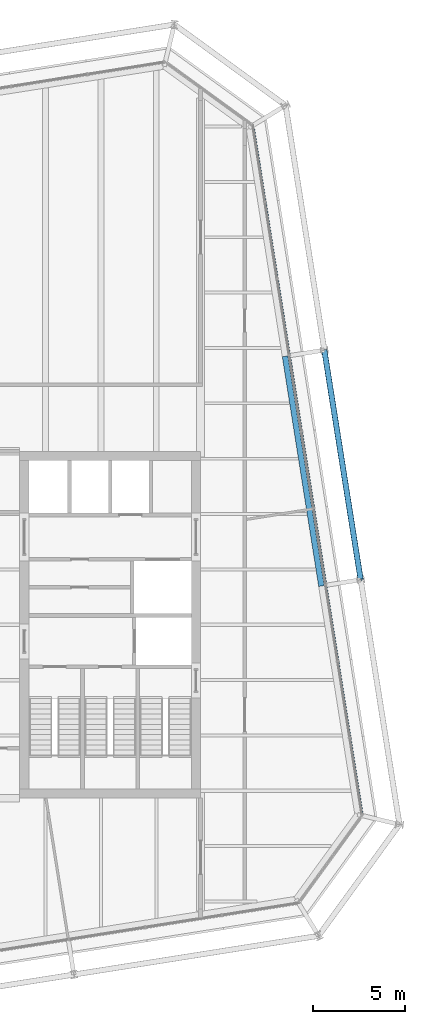
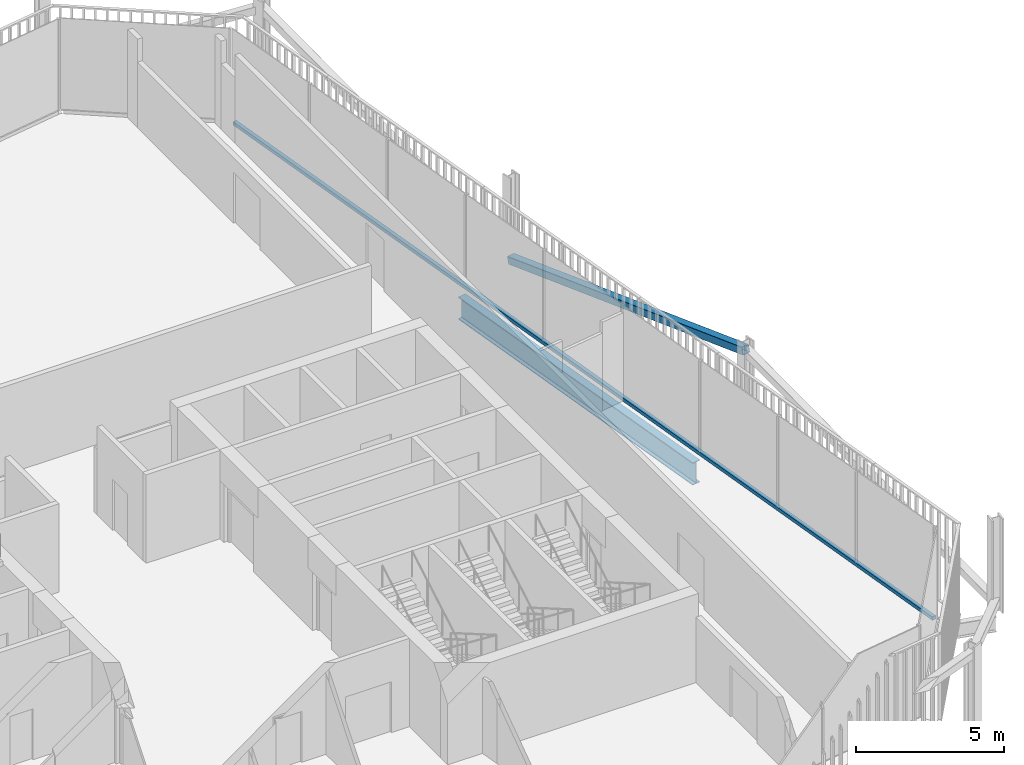
# One storey, part 10 of 21: 2 members, 1 beam, 1 element without a shape of its own.
"""IFC4 building model written with IfcOpenShell, lengths in metres."""

import ifcopenshell
import ifcopenshell.guid

model = None  # the IFC model being written
_history = None  # IfcOwnerHistory: only IFC2X3 demands one
_inside = {}  # id of a spatial element -> (the spatial element, [elements in it])
_under = {}  # id of a project, library or spatial element -> (it, [spatial elements below it])
_declared = {}  # id of a project -> (the project, [libraries it declares])
_typed = {}  # id of a type object -> (the type object, [elements of that type])
_made_of = {}  # id of a material, layer set ... -> (it, [elements and type objects made of it])


def new_model(schema):
    """Start an empty IFC model of exactly this schema.

    Asked for "IFC4X3", IfcOpenShell would pick the latest addendum, in which some entities
    have other attributes; the version numbers below select the first issue.
    IFC2X3 requires an IfcOwnerHistory on every rooted entity: one is made here for all.
    """
    global model, _history
    if schema == "IFC4X3":
        model = ifcopenshell.file(schema_version=(4, 3, 0, 0))
    else:
        model = ifcopenshell.file(schema=schema)
    _inside.clear()
    _under.clear()
    _declared.clear()
    _typed.clear()
    _made_of.clear()
    _history = None
    if model.schema == "IFC2X3":
        org = make("IfcOrganization", Name="unknown")
        user = make(
            "IfcPersonAndOrganization",
            ThePerson=make("IfcPerson", FamilyName="unknown"),
            TheOrganization=org,
        )
        app = make(
            "IfcApplication",
            ApplicationDeveloper=org,
            Version="unknown",
            ApplicationFullName="unknown",
            ApplicationIdentifier="unknown",
        )
        _history = make(
            "IfcOwnerHistory",
            OwningUser=user,
            OwningApplication=app,
            ChangeAction="ADDED",
            CreationDate=0,
        )
    return model


def make(cls, **values):
    """One entity of the class cls with the attributes given. An attribute that is None is left unset."""
    return model.create_entity(
        cls, **{name: value for name, value in values.items() if value is not None}
    )


def rooted(cls, **values):
    """An entity with a GlobalId (a new one), such as an element, a storey or a relation."""
    return make(cls, GlobalId=ifcopenshell.guid.new(), OwnerHistory=_history, **values)


def si_unit(unit_type, name, prefix=None):
    """IfcSIUnit, for example si_unit("LENGTHUNIT", "METRE", prefix="MILLI")."""
    return make("IfcSIUnit", UnitType=unit_type, Prefix=prefix, Name=name)


def assignment(units):
    """IfcUnitAssignment: the units of a project."""
    return None if units is None else make("IfcUnitAssignment", Units=units)


def point(xyz):
    """IfcCartesianPoint."""
    return None if xyz is None else make("IfcCartesianPoint", Coordinates=xyz)


def direction(xyz):
    """IfcDirection."""
    return None if xyz is None else make("IfcDirection", DirectionRatios=xyz)


def frame(location, z_axis=None, x_axis=None):
    """IfcAxis2Placement3D, a coordinate frame: its origin and axes. An axis left out is left unset."""
    return make(
        "IfcAxis2Placement3D",
        Location=point(location),
        Axis=direction(z_axis),
        RefDirection=direction(x_axis),
    )


def frame_2d(location, x_axis=None):
    """IfcAxis2Placement2D, a coordinate frame in the plane: its origin and x axis."""
    return make(
        "IfcAxis2Placement2D", Location=point(location), RefDirection=direction(x_axis)
    )


def origin():
    """The frame at (0, 0, 0) with its axes left unset."""
    return frame((0.0, 0.0, 0.0))


def origin_2d():
    """The frame at (0, 0) in the plane with its x axis left unset."""
    return frame_2d((0.0, 0.0))


def place(relative_to, where):
    """IfcLocalPlacement: puts the frame where relative to a parent placement (None: the world)."""
    return make(
        "IfcLocalPlacement", PlacementRelTo=relative_to, RelativePlacement=where
    )


def context(
    kind, dimensions, precision=None, world=None, true_north=None, identifier=None
):
    """IfcGeometricRepresentationContext, for example the 3D "Model" context."""
    return make(
        "IfcGeometricRepresentationContext",
        ContextIdentifier=identifier,
        ContextType=kind,
        CoordinateSpaceDimension=dimensions,
        Precision=precision,
        WorldCoordinateSystem=world,
        TrueNorth=true_north,
    )


def subcontext(parent, identifier, kind, view, scale=None):
    """IfcGeometricRepresentationSubContext, for example "Body" below "Model"."""
    return make(
        "IfcGeometricRepresentationSubContext",
        ContextIdentifier=identifier,
        ContextType=kind,
        ParentContext=parent,
        TargetScale=scale,
        TargetView=view,
    )


def project(units=None, contexts=None):
    """IfcProject with its units and contexts."""
    return rooted(
        "IfcProject",
        Name="project",
        RepresentationContexts=contexts,
        UnitsInContext=assignment(units),
    )


def spatial(cls, under=None, at=None, **own):
    """A site, building, storey or space (cls), placed at a placement, below another one or the project."""
    s = rooted(cls, ObjectPlacement=at, **own)
    if under is not None:
        _under.setdefault(under.id(), (under, []))[1].append(s)
    return s


def profile(cls, at=None, kind="AREA", **sizes):
    """A parametric profile (cls). Its sizes go by their IFC names, for example OverallWidth=200.0."""
    return make(cls, ProfileType=kind, Position=at, **sizes)


def rectangle(**sizes):
    """IfcRectangleProfileDef."""
    return profile("IfcRectangleProfileDef", **sizes)


def hollow_rectangle(**sizes):
    """IfcRectangleHollowProfileDef."""
    return profile("IfcRectangleHollowProfileDef", **sizes)


def i_section(**sizes):
    """IfcIShapeProfileDef."""
    return profile("IfcIShapeProfileDef", **sizes)


def extrude(swept, where, along, depth):
    """IfcExtrudedAreaSolid: the profile swept, set in the frame where, extruded along a direction by depth."""
    return make(
        "IfcExtrudedAreaSolid",
        SweptArea=swept,
        Position=where,
        ExtrudedDirection=direction(along),
        Depth=depth,
    )


def shape(context_of_items, identifier, shape_type, items):
    """IfcShapeRepresentation: the items that make up one representation, for example the "Body"."""
    return make(
        "IfcShapeRepresentation",
        ContextOfItems=context_of_items,
        RepresentationIdentifier=identifier,
        RepresentationType=shape_type,
        Items=items,
    )


def material(Name=None, Category=None):
    """IfcMaterial."""
    return make("IfcMaterial", Name=Name, Category=Category)


def layer(
    of_material, thickness, ventilated=None, Name=None, Category=None, Priority=None
):
    """IfcMaterialLayer: one layer of a wall or slab, of a material (None: an air gap)."""
    return make(
        "IfcMaterialLayer",
        Material=of_material,
        LayerThickness=thickness,
        IsVentilated=ventilated,
        Name=Name,
        Category=Category,
        Priority=Priority,
    )


def layer_set(layers, Name=None):
    """IfcMaterialLayerSet."""
    return make("IfcMaterialLayerSet", MaterialLayers=layers, LayerSetName=Name)


def material_profile(
    of_material, cross_section, Name=None, Category=None, Priority=None
):
    """IfcMaterialProfile: a cross section and its material."""
    return make(
        "IfcMaterialProfile",
        Name=Name,
        Material=of_material,
        Profile=cross_section,
        Priority=Priority,
        Category=Category,
    )


def profile_set(profiles, Name=None, composite=None):
    """IfcMaterialProfileSet."""
    return make(
        "IfcMaterialProfileSet",
        Name=Name,
        MaterialProfiles=profiles,
        CompositeProfile=composite,
    )


def made_of(thing, what):
    """Note that an element or type object is made of a material, layer set ...; save() writes the relation."""
    if what is not None:
        _made_of.setdefault(what.id(), (what, []))[1].append(thing)
    return thing


def type_object(cls, material=None, **own):
    """A type object (cls), such as IfcWallType, which elements share."""
    return made_of(rooted(cls, **own), material)


def element(
    cls,
    number,
    at=None,
    inside=None,
    cuts=None,
    type_object=None,
    material=None,
    context=None,
    identifier="Body",
    shape_type=None,
    held_by="IfcProductDefinitionShape",
    body=None,
    shapes=None,
    **own,
):
    """One element of the class cls, such as IfcWall. Its Tag is "e" and its number.

    at: its placement. inside: the storey or other place that contains it. cuts: it is an
    opening in that element (IfcRelVoidsElement). A single representation is given by context,
    identifier, shape_type and body (its items); several are given by shapes. held_by: the class
    of the entity that holds the representations. save() writes the other relations.
    """
    e = rooted(cls, Tag="e%d" % number, ObjectPlacement=at, **own)
    if body is not None:
        shapes = [shape(context, identifier, shape_type, body)]
    if shapes is not None:
        e.Representation = make(held_by, Representations=shapes)
    if inside is not None:
        _inside.setdefault(inside.id(), (inside, []))[1].append(e)
    if cuts is not None:
        rooted(
            "IfcRelVoidsElement", RelatingBuildingElement=cuts, RelatedOpeningElement=e
        )
    if type_object is not None:
        _typed.setdefault(type_object.id(), (type_object, []))[1].append(e)
    return made_of(e, material)


def aggregate(whole, parts):
    """IfcRelAggregates: a whole, such as a stair, and the parts it consists of."""
    return rooted("IfcRelAggregates", RelatingObject=whole, RelatedObjects=parts)


def save(model, path):
    """Write the relations noted so far, then the file.

    IfcRelAggregates (storeys below a building ...), IfcRelContainedInSpatialStructure (elements
    in a storey), IfcRelDefinesByType, IfcRelAssociatesMaterial and IfcRelDeclares: one each for
    every whole, place, type object, material and project.
    """
    for whole, parts in _under.values():
        aggregate(whole, parts)
    for where, things in _inside.values():
        rooted(
            "IfcRelContainedInSpatialStructure",
            RelatedElements=things,
            RelatingStructure=where,
        )
    for kind, things in _typed.values():
        rooted("IfcRelDefinesByType", RelatedObjects=things, RelatingType=kind)
    for what, things in _made_of.values():
        rooted("IfcRelAssociatesMaterial", RelatedObjects=things, RelatingMaterial=what)
    for by, libraries in _declared.values():
        rooted("IfcRelDeclares", RelatingContext=by, RelatedDefinitions=libraries)
    model.write(path)


model = new_model("IFC4")

# Units and contexts
model_context = context("Model", 3, precision=1e-05, world=origin(), true_north=direction((0.0, 1.0)))
body_context = subcontext(model_context, "Body", "Model", "MODEL_VIEW")
ifc_project = project(units=[si_unit("LENGTHUNIT", "METRE"), si_unit("AREAUNIT", "SQUARE_METRE"), si_unit("VOLUMEUNIT", "CUBIC_METRE"), si_unit("PLANEANGLEUNIT", "RADIAN"), si_unit("MASSUNIT", "GRAM", prefix="KILO")], contexts=[model_context])

# Site, building, storey
site_placement = place(None, origin())
site = spatial("IfcSite", under=ifc_project, at=site_placement, CompositionType="ELEMENT")
building_placement = place(site_placement, origin())
building = spatial("IfcBuilding", under=site, at=building_placement, Name="Millrace Tower", CompositionType="ELEMENT")
storey_placement = place(building_placement, frame((0.0, 0.0, 263.0)))
storey = spatial("IfcBuildingStorey", under=building, at=storey_placement, Name="L60", CompositionType="ELEMENT", Elevation=263.0)

# Curtain wall, member
ifc_material_1 = material(Name="Aluminium and glass", Category="aluminium")
ifc_layer = layer(ifc_material_1, 0.14990234375)
ifc_layer_set = layer_set([ifc_layer], Name="Aluminium and glass")
curtain_wall_type = type_object("IfcCurtainWallType", Name="CW-1 office vision curtain wall", PredefinedType="NOTDEFINED", material=ifc_layer_set)
curtain_wall_placement = place(storey_placement, origin())
curtain_wall = element("IfcCurtainWall", 1, at=curtain_wall_placement, inside=storey, type_object=curtain_wall_type, Name="Curtain wall D-F04 L60", PredefinedType="NOTDEFINED")
ifc_material_2 = material(Name="Aluminium", Category="aluminium")
ifc_material_profile_1 = material_profile(ifc_material_2, rectangle(XDim=0.14990234375, YDim=0.139892578125, at=origin_2d()))
ifc_profile_set_1 = profile_set([ifc_material_profile_1], Name="Aluminium")
member_type_1 = type_object("IfcMemberType", Name="CW-1 office vision curtain wall transom", PredefinedType="USERDEFINED", material=ifc_profile_set_1)
member_1_placement = place(storey_placement, frame((23.1318359375, -10.208740234375, 0.070068359375), z_axis=(-0.156432359726, 0.987688674042, 0.0), x_axis=(-0.987688674042, -0.156432359726, 0.0)))
member_1 = element("IfcMember", 2, at=member_1_placement, type_object=member_type_1, Name="CW1 transom D-F04.1", ObjectType="TRANSOM", PredefinedType="USERDEFINED", context=body_context, shape_type="SweptSolid", body=[
    extrude(rectangle(XDim=0.14990234375, YDim=0.139892578125, at=origin_2d()), origin(), (0.0, 0.0, 1.0), 37.599853515625),
])
aggregate(curtain_wall, [member_1])

# Member
ifc_material_3 = material(Name="Steel ASTM A500 Grade C", Category="steel")
ifc_material_profile_2 = material_profile(ifc_material_3, hollow_rectangle(XDim=0.3046875, YDim=0.3046875, WallThickness=0.009521484375, InnerFilletRadius=0.004638671875, OuterFilletRadius=0.014404296875, at=origin_2d()))
ifc_profile_set_2 = profile_set([ifc_material_profile_2], Name="Steel ASTM A500 Grade C")
member_type_2 = type_object("IfcMemberType", Name="Exoskeleton brace HSS12x12x3/8", PredefinedType="BRACE", material=ifc_profile_set_2)
member_2_placement = place(storey_placement, frame((21.106689453125, 14.88330078125, 0.39990234375), z_axis=(0.151895211228, -0.959086646493, 0.23891556945), x_axis=(0.987689802912, 0.156425232058, 0.0)))
element("IfcMember", 3, at=member_2_placement, inside=storey, type_object=member_type_2, Name="BRC-D-L60-07", PredefinedType="BRACE", context=body_context, shape_type="SweptSolid", body=[
    extrude(hollow_rectangle(XDim=0.3046875, YDim=0.3046875, WallThickness=0.009521484375, InnerFilletRadius=0.004638671875, OuterFilletRadius=0.014404296875, at=origin_2d()), origin(), (0.0, 0.0, 1.0), 12.9755859375),
])

# Beam
ifc_material_4 = material(Name="Steel ASTM A992 Grade 50", Category="steel")
ifc_material_profile_3 = material_profile(ifc_material_4, i_section(OverallWidth=0.307373046875, OverallDepth=0.927001953125, WebThickness=0.01953125, FlangeThickness=0.031982421875, FilletRadius=0.01904296875, at=origin_2d()))
ifc_profile_set_3 = profile_set([ifc_material_profile_3], Name="Steel ASTM A992 Grade 50")
beam_type = type_object("IfcBeamType", Name="Ring beam medium span W36x194", PredefinedType="SPANDREL", material=ifc_profile_set_3)
beam_placement = place(storey_placement, frame((18.9794921875, 14.54638671875, -0.62353515625), z_axis=(0.1564441342, -0.987686809102, 0.0), x_axis=(0.987686809102, 0.1564441342, 0.0)))
element("IfcBeam", 4, at=beam_placement, inside=storey, type_object=beam_type, Name="RNG-D-L60-S1-10", PredefinedType="SPANDREL", context=body_context, shape_type="SweptSolid", body=[
    extrude(i_section(OverallWidth=0.307373046875, OverallDepth=0.927001953125, WebThickness=0.01953125, FlangeThickness=0.031982421875, FilletRadius=0.01904296875, at=origin_2d()), origin(), (0.0, 0.0, 1.0), 12.599853515625),
])

save(model, "model.ifc")
